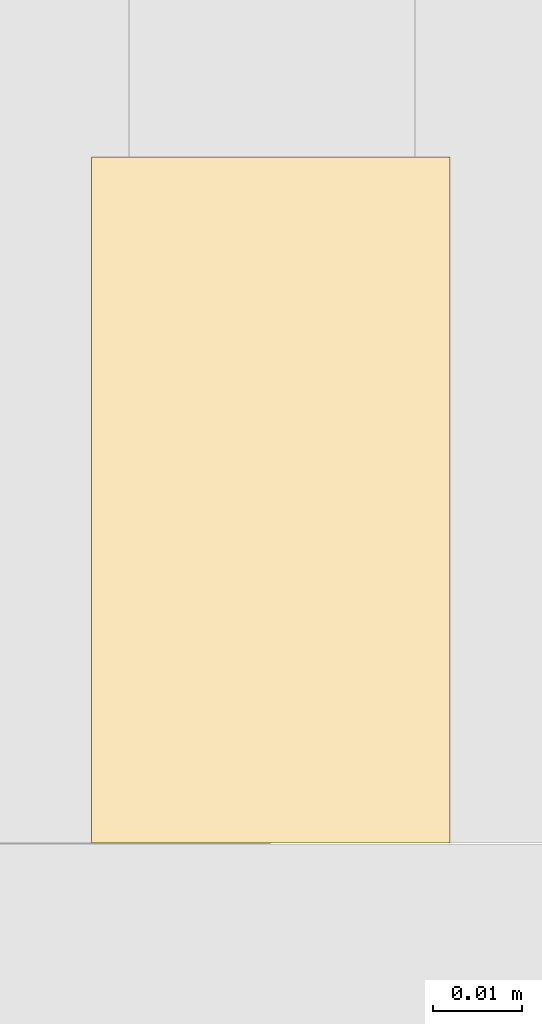
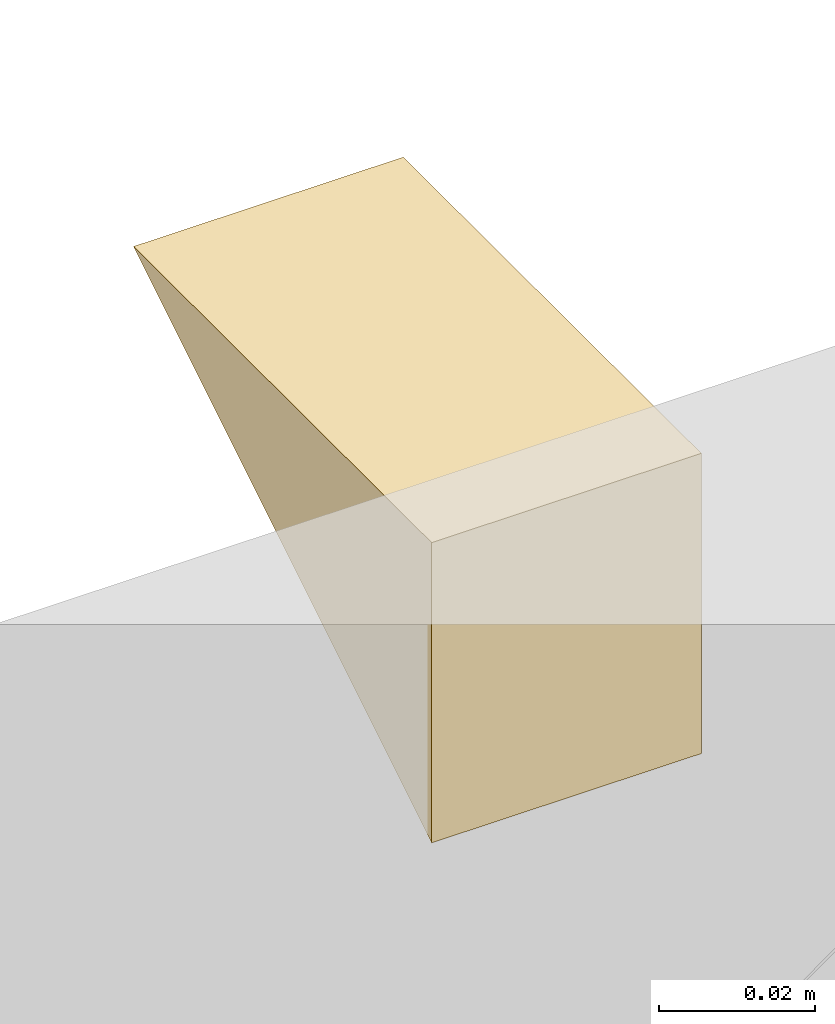
# One storey, part 17 of 17: 1 covering.
"""IFC4 building model written with IfcOpenShell, lengths in metres."""

from ifc_helpers import new_model, si_unit, direction, frame, origin, place, context, subcontext, project, spatial, polyline, outline, extrude, material, layer, layer_set, type_object, element, save


model = new_model("IFC4")

# Units and contexts
model_context = context("Model", 3, precision=1e-05, world=origin(), true_north=direction((0.0, 1.0)))
body_context = subcontext(model_context, "Body", "Model", "MODEL_VIEW")
ifc_project = project(units=[si_unit("LENGTHUNIT", "METRE"), si_unit("AREAUNIT", "SQUARE_METRE"), si_unit("VOLUMEUNIT", "CUBIC_METRE"), si_unit("PLANEANGLEUNIT", "RADIAN"), si_unit("MASSUNIT", "GRAM", prefix="KILO")], contexts=[model_context])

# Site, building, storey
site_placement = place(None, origin())
site = spatial("IfcSite", under=ifc_project, at=site_placement, CompositionType="ELEMENT")
building_placement = place(site_placement, origin())
building = spatial("IfcBuilding", under=site, at=building_placement, Name="Malebo Sky Hospital", CompositionType="ELEMENT")
storey_placement = place(building_placement, frame((0.0, 0.0, 55.0)))
storey = spatial("IfcBuildingStorey", under=building, at=storey_placement, Name="L12", CompositionType="ELEMENT", Elevation=55.0)

# Covering
ifc_material = material(Name="Anodised aluminium, natural silver insulated infill panel", Category="aluminium")
ifc_layer = layer(ifc_material, 0.0400390625)
ifc_layer_set = layer_set([ifc_layer], Name="BRACE INFILL PANEL 40")
covering_type = type_object("IfcCoveringType", Name="BRACE INFILL PANEL 40", PredefinedType="CLADDING", material=ifc_layer_set)
covering_placement = place(storey_placement, frame((85.5, 80.975830078125, 3.94287109375), z_axis=(0.0, 0.0, 1.0), x_axis=(0.0, -1.0, 0.0)))
element("IfcCovering", 1, at=covering_placement, inside=storey, type_object=covering_type, Name="Brace infill panel 1.1", PredefinedType="CLADDING", context=body_context, shape_type="SweptSolid", body=[
    extrude(outline(polyline([(0.038330078125, 0.0), (0.038330078125, 0.047119140625), (-0.038330078125, 0.047119140625), (0.038330078125, 0.0)])), frame((0.0, 0.02001953125, 0.0), z_axis=(0.0, -1.0, 0.0), x_axis=(1.0, 0.0, 0.0)), (0.0, 0.0, 1.0), 0.0400390625),
])

save(model, "model.ifc")
